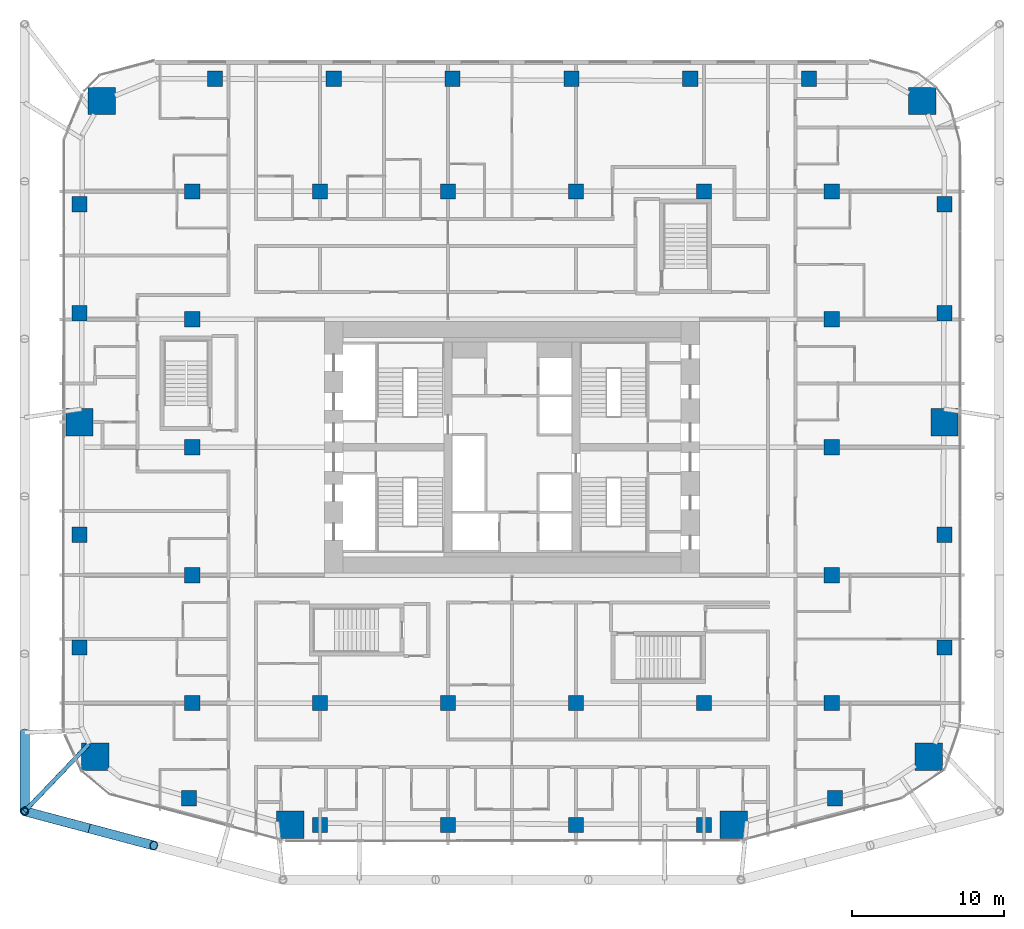
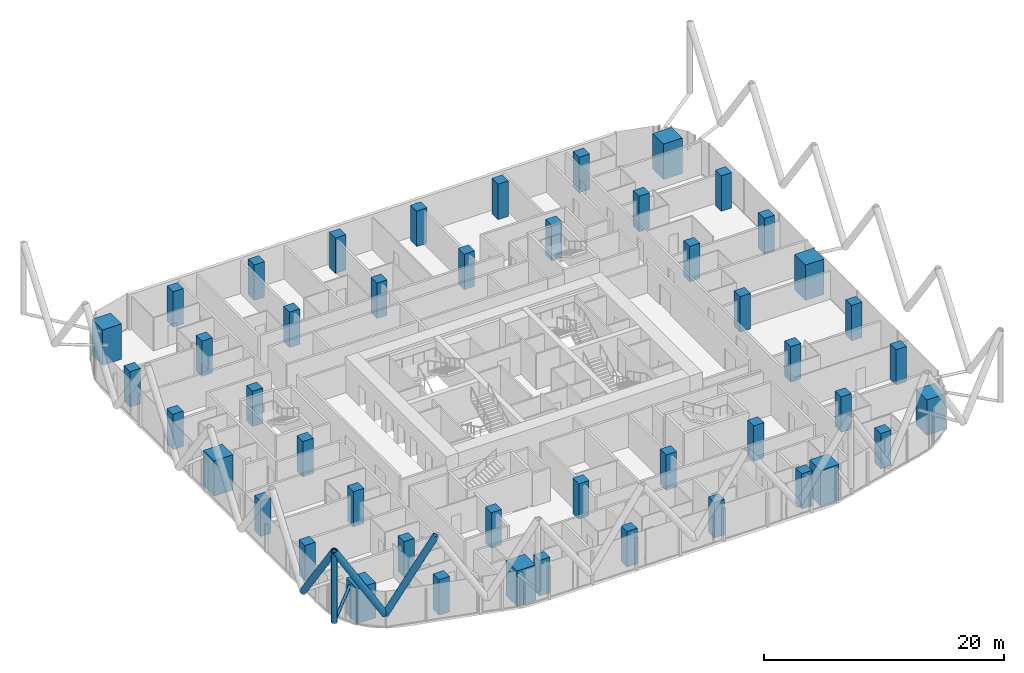
# One storey, part 1 of 38: 46 columns, 5 members.
"""IFC4 building model written with IfcOpenShell, lengths in metres."""

from ifc_helpers import new_model, si_unit, direction, frame, origin, origin_2d, place, context, subcontext, project, spatial, rectangle, hollow_circle, extrude, material, material_profile, profile_set, type_object, element, save


model = new_model("IFC4")

# Units and contexts
model_context = context("Model", 3, precision=1e-05, world=origin(), true_north=direction((0.0, 1.0)))
body_context = subcontext(model_context, "Body", "Model", "MODEL_VIEW")
ifc_project = project(units=[si_unit("LENGTHUNIT", "METRE"), si_unit("AREAUNIT", "SQUARE_METRE"), si_unit("VOLUMEUNIT", "CUBIC_METRE"), si_unit("PLANEANGLEUNIT", "RADIAN"), si_unit("MASSUNIT", "GRAM", prefix="KILO")], contexts=[model_context])

# Site, building, storey
site_placement = place(None, origin())
site = spatial("IfcSite", under=ifc_project, at=site_placement, CompositionType="ELEMENT")
building_placement = place(site_placement, origin())
building = spatial("IfcBuilding", under=site, at=building_placement, Name="Marenta Gate Hotel Tower", CompositionType="ELEMENT")
storey_placement = place(building_placement, frame((0.0, 0.0, 40.10009765625)))
storey = spatial("IfcBuildingStorey", under=building, at=storey_placement, Name="L07", CompositionType="ELEMENT", Elevation=40.10009765625)

# Columns
ifc_material_1 = material(Name="Concrete C80", Category="concrete")
ifc_material_profile_1 = material_profile(ifc_material_1, rectangle(XDim=1.0, YDim=1.0, at=origin_2d()), Name="1000 x 1000")
ifc_profile_set_1 = profile_set([ifc_material_profile_1], Name="Concrete C80")
column_type_1 = type_object("IfcColumnType", Name="Edge column 1000 x 1000 C80", PredefinedType="COLUMN", material=ifc_profile_set_1)
for number, where, z_axis, x_axis, name in (
    (1, (-28.39990234375, -4.751953125, 0.0), (0.0, 0.0, 1.0), (1.0, 0.0, 0.0), "L07-EC-SW-W-1"),
    (2, (-28.39990234375, 2.649169921875, 0.0), (0.0, 0.0, 1.0), (1.0, 0.0, 0.0), "L07-EC-SW-W-2"),
    (3, (-28.39990234375, 17.203125, 0.0), (0.0, 0.0, 1.0), (1.0, 0.0, 0.0), "L07-EC-W-NW-1"),
    (4, (-28.39990234375, 24.3564453125, 0.0), (0.0, 0.0, 1.0), (1.0, 0.0, 0.0), "L07-EC-W-NW-2"),
    (5, (-19.5068359375, 32.60009765625, 0.0), (0.0, 0.0, 1.0), (1.0, 0.0, 0.0), "L07-EC-NW-NE-1"),
    (6, (-11.7041015625, 32.60009765625, 0.0), (0.0, 0.0, 1.0), (1.0, 0.0, 0.0), "L07-EC-NW-NE-2"),
    (7, (-3.9013671875, 32.60009765625, 0.0), (0.0, 0.0, 1.0), (1.0, 0.0, 0.0), "L07-EC-NW-NE-3"),
    (8, (3.9013671875, 32.60009765625, 0.0), (0.0, 0.0, 1.0), (1.0, 0.0, 0.0), "L07-EC-NW-NE-4"),
    (9, (11.7041015625, 32.60009765625, 0.0), (0.0, 0.0, 1.0), (1.0, 0.0, 0.0), "L07-EC-NW-NE-5"),
    (10, (19.5068359375, 32.60009765625, 0.0), (0.0, 0.0, 1.0), (1.0, 0.0, 0.0), "L07-EC-NW-NE-6"),
    (11, (28.39990234375, 24.3564453125, 0.0), (0.0, 0.0, 1.0), (1.0, 0.0, 0.0), "L07-EC-NE-E-1"),
    (12, (28.39990234375, 17.203125, 0.0), (0.0, 0.0, 1.0), (1.0, 0.0, 0.0), "L07-EC-NE-E-2"),
    (13, (28.39990234375, 2.649169921875, 0.0), (0.0, 0.0, 1.0), (1.0, 0.0, 0.0), "L07-EC-E-SE-1"),
    (14, (28.39990234375, -4.751953125, 0.0), (0.0, 0.0, 1.0), (1.0, 0.0, 0.0), "L07-EC-E-SE-2"),
    (15, (21.206787109375, -14.63916015625, 0.0), (0.0, 0.0, 1.0), (1.0, 0.0, 0.0), "L07-EC-SE-SKE-1"),
    (16, (12.60009765625, -16.39990234375, 0.0), (0.0, 0.0, 1.0), (1.0, 0.0, 0.0), "L07-EC-SKE-SKW-1"),
    (17, (4.199951171875, -16.39990234375, 0.0), (0.0, 0.0, 1.0), (1.0, 0.0, 0.0), "L07-EC-SKE-SKW-2"),
    (18, (-4.199951171875, -16.39990234375, 0.0), (0.0, 0.0, 1.0), (1.0, 0.0, 0.0), "L07-EC-SKE-SKW-3"),
    (19, (-12.60009765625, -16.39990234375, 0.0), (0.0, 0.0, 1.0), (1.0, 0.0, 0.0), "L07-EC-SKE-SKW-4"),
    (20, (-21.206787109375, -14.63916015625, 0.0), (0.0, 0.0, 1.0), (1.0, 0.0, 0.0), "L07-EC-SKW-SW-1"),
):
    element("IfcColumn", number, at=place(storey_placement, frame(where, z_axis=z_axis, x_axis=x_axis)), inside=storey, type_object=column_type_1, Name=name, PredefinedType="COLUMN", context=body_context, shape_type="SweptSolid", body=[
        extrude(rectangle(XDim=1.0, YDim=1.0, at=origin_2d()), origin(), (0.0, 0.0, 1.0), 3.599853515625),
    ])
ifc_material_2 = material(Name="Concrete C80", Category="concrete")
ifc_material_profile_2 = material_profile(ifc_material_2, rectangle(XDim=1.0, YDim=1.0, at=origin_2d()), Name="1000 x 1000")
ifc_profile_set_2 = profile_set([ifc_material_profile_2], Name="Concrete C80")
column_type_2 = type_object("IfcColumnType", Name="Interior column 1000 x 1000 C80", PredefinedType="COLUMN", material=ifc_profile_set_2)
for number, where, z_axis, x_axis, name in (
    (21, (-21.0, -8.39990234375, 0.0), (0.0, 0.0, 1.0), (1.0, 0.0, 0.0), "L07-IC-4E"),
    (22, (-21.0, 0.0, 0.0), (0.0, 0.0, 1.0), (1.0, 0.0, 0.0), "L07-IC-4F"),
    (23, (-21.0, 8.39990234375, 0.0), (0.0, 0.0, 1.0), (1.0, 0.0, 0.0), "L07-IC-4G"),
    (24, (-21.0, 16.800048828125, 0.0), (0.0, 0.0, 1.0), (1.0, 0.0, 0.0), "L07-IC-4H"),
    (25, (-21.0, 25.199951171875, 0.0), (0.0, 0.0, 1.0), (1.0, 0.0, 0.0), "L07-IC-4I"),
    (26, (-12.60009765625, -8.39990234375, 0.0), (0.0, 0.0, 1.0), (1.0, 0.0, 0.0), "L07-IC-5E"),
    (27, (-12.60009765625, 25.199951171875, 0.0), (0.0, 0.0, 1.0), (1.0, 0.0, 0.0), "L07-IC-5I"),
    (28, (-4.199951171875, -8.39990234375, 0.0), (0.0, 0.0, 1.0), (1.0, 0.0, 0.0), "L07-IC-6E"),
    (29, (-4.199951171875, 25.199951171875, 0.0), (0.0, 0.0, 1.0), (1.0, 0.0, 0.0), "L07-IC-6I"),
    (30, (4.199951171875, -8.39990234375, 0.0), (0.0, 0.0, 1.0), (1.0, 0.0, 0.0), "L07-IC-7E"),
    (31, (4.199951171875, 25.199951171875, 0.0), (0.0, 0.0, 1.0), (1.0, 0.0, 0.0), "L07-IC-7I"),
    (32, (12.60009765625, -8.39990234375, 0.0), (0.0, 0.0, 1.0), (1.0, 0.0, 0.0), "L07-IC-8E"),
    (33, (12.60009765625, 25.199951171875, 0.0), (0.0, 0.0, 1.0), (1.0, 0.0, 0.0), "L07-IC-8I"),
    (34, (21.0, -8.39990234375, 0.0), (0.0, 0.0, 1.0), (1.0, 0.0, 0.0), "L07-IC-9E"),
    (35, (21.0, 0.0, 0.0), (0.0, 0.0, 1.0), (1.0, 0.0, 0.0), "L07-IC-9F"),
    (36, (21.0, 8.39990234375, 0.0), (0.0, 0.0, 1.0), (1.0, 0.0, 0.0), "L07-IC-9G"),
    (37, (21.0, 16.800048828125, 0.0), (0.0, 0.0, 1.0), (1.0, 0.0, 0.0), "L07-IC-9H"),
    (38, (21.0, 25.199951171875, 0.0), (0.0, 0.0, 1.0), (1.0, 0.0, 0.0), "L07-IC-9I"),
):
    element("IfcColumn", number, at=place(storey_placement, frame(where, z_axis=z_axis, x_axis=x_axis)), inside=storey, type_object=column_type_2, Name=name, PredefinedType="COLUMN", context=body_context, shape_type="SweptSolid", body=[
        extrude(rectangle(XDim=1.0, YDim=1.0, at=origin_2d()), origin(), (0.0, 0.0, 1.0), 3.599853515625),
    ])
ifc_material_3 = material(Name="Concrete C80", Category="concrete")
ifc_material_profile_3 = material_profile(ifc_material_3, rectangle(XDim=1.800048828125, YDim=1.800048828125, at=origin_2d()), Name="1800 x 1800")
ifc_profile_set_3 = profile_set([ifc_material_profile_3], Name="Concrete C80")
column_type_3 = type_object("IfcColumnType", Name="Mega column 1800 x 1800 C80", PredefinedType="COLUMN", material=ifc_profile_set_3)
for number, where, z_axis, x_axis, name in (
    (39, (-27.363037109375, -11.93310546875, 0.0), (0.0, 0.0, 1.0), (1.0, 0.0, 0.0), "L07-MC-SW"),
    (40, (-14.56640625, -16.374755859375, 0.0), (0.0, 0.0, 1.0), (1.0, 0.0, 0.0), "L07-MC-SKW"),
    (41, (14.56640625, -16.374755859375, 0.0), (0.0, 0.0, 1.0), (1.0, 0.0, 0.0), "L07-MC-SKE"),
    (42, (27.363037109375, -11.93310546875, 0.0), (0.0, 0.0, 1.0), (1.0, 0.0, 0.0), "L07-MC-SE"),
    (43, (28.39990234375, 10.050048828125, 0.0), (0.0, 0.0, 1.0), (1.0, 0.0, 0.0), "L07-MC-E"),
    (44, (26.935546875, 31.135498046875, 0.0), (0.0, 0.0, 1.0), (1.0, 0.0, 0.0), "L07-MC-NE"),
    (45, (-26.935546875, 31.135498046875, 0.0), (0.0, 0.0, 1.0), (1.0, 0.0, 0.0), "L07-MC-NW"),
    (46, (-28.39990234375, 10.050048828125, 0.0), (0.0, 0.0, 1.0), (1.0, 0.0, 0.0), "L07-MC-W"),
):
    element("IfcColumn", number, at=place(storey_placement, frame(where, z_axis=z_axis, x_axis=x_axis)), inside=storey, type_object=column_type_3, Name=name, PredefinedType="COLUMN", context=body_context, shape_type="SweptSolid", body=[
        extrude(rectangle(XDim=1.800048828125, YDim=1.800048828125, at=origin_2d()), origin(), (0.0, 0.0, 1.0), 3.599853515625),
    ])

# Members
ifc_material_4 = material(Name="Steel S355J2W", Category="steel")
ifc_material_profile_4 = material_profile(ifc_material_4, hollow_circle(Radius=0.25390625, WallThickness=0.0400390625, at=origin_2d()), Name="CHS 508x40")
ifc_profile_set_4 = profile_set([ifc_material_profile_4], Name="Steel S355J2W")
member_type_1 = type_object("IfcMemberType", Name="Diagrid corner post Z1 CHS 508x40", PredefinedType="POST", material=ifc_profile_set_4)
member_1_placement = place(storey_placement, frame((-32.0, -15.500244140625, 3.139892578125), z_axis=(0.0, 0.0, 1.0), x_axis=(1.0, 0.0, 0.0)))
element("IfcMember", 47, at=member_1_placement, inside=storey, type_object=member_type_1, Name="L07-DR-5", PredefinedType="POST", context=body_context, shape_type="SweptSolid", body=[
    extrude(hollow_circle(Radius=0.25390625, WallThickness=0.0400390625, at=origin_2d()), origin(), (0.0, 0.0, 1.0), 7.199951171875),
])
ifc_material_5 = material(Name="Steel S355J2W", Category="steel")
ifc_material_profile_5 = material_profile(ifc_material_5, hollow_circle(Radius=0.304931640625, WallThickness=0.0400390625, at=origin_2d()), Name="CHS 610x40")
ifc_profile_set_5 = profile_set([ifc_material_profile_5], Name="Steel S355J2W")
member_type_2 = type_object("IfcMemberType", Name="Diagrid diagonal Z1 CHS 610x40", PredefinedType="BRACE", material=ifc_profile_set_5)
for number, where, z_axis, x_axis, name in (
    (48, (-27.759765625, -16.625, 3.139892578125), (0.502924018666, -0.133433548941, 0.853968921838), (0.256443187528, 0.96655930577, 0.0), "L07-DG-23"),
    (49, (-27.759765625, -16.625, 3.139892578125), (-0.502925961678, 0.133405107407, 0.853972221087), (-0.256391194513, -0.966573098827, 0.0), "L07-DG-24"),
):
    element("IfcMember", number, at=place(storey_placement, frame(where, z_axis=z_axis, x_axis=x_axis)), inside=storey, type_object=member_type_2, Name=name, PredefinedType="BRACE", context=body_context, shape_type="SweptSolid", body=[
        extrude(hollow_circle(Radius=0.304931640625, WallThickness=0.0400390625, at=origin_2d()), origin(), (0.0, 0.0, 1.0), 8.43115234375),
    ])
member_2_placement = place(storey_placement, frame((-32.0, -10.330078125, 3.139892578125), z_axis=(0.0, -0.583279014058, 0.812271870595), x_axis=(1.0, 0.0, 0.0)))
element("IfcMember", 50, at=member_2_placement, inside=storey, type_object=member_type_2, Name="L07-DG-25", PredefinedType="BRACE", context=body_context, shape_type="SweptSolid", body=[
    extrude(hollow_circle(Radius=0.304931640625, WallThickness=0.0400390625, at=origin_2d()), origin(), (0.0, 0.0, 1.0), 8.864013671875),
])
ifc_material_6 = material(Name="Steel S355J2W", Category="steel")
ifc_material_profile_6 = material_profile(ifc_material_6, hollow_circle(Radius=0.136474609375, WallThickness=0.012451171875, at=origin_2d()), Name="CHS 273x12.5")
ifc_profile_set_6 = profile_set([ifc_material_profile_6], Name="Steel S355J2W")
member_type_3 = type_object("IfcMemberType", Name="Floor tie CHS 273x12.5", PredefinedType="STRUT", material=ifc_profile_set_6)
member_3_placement = place(storey_placement, frame((-32.0, -15.500244140625, 3.139892578125), z_axis=(0.691351135911, 0.722518931845, 0.0), x_axis=(-0.722518931845, 0.691351135911, 0.0)))
element("IfcMember", 51, at=member_3_placement, inside=storey, type_object=member_type_3, Name="L07-DR-18", PredefinedType="STRUT", context=body_context, shape_type="SweptSolid", body=[
    extrude(hollow_circle(Radius=0.136474609375, WallThickness=0.012451171875, at=origin_2d()), origin(), (0.0, 0.0, 1.0), 6.12548828125),
])

save(model, "model.ifc")
